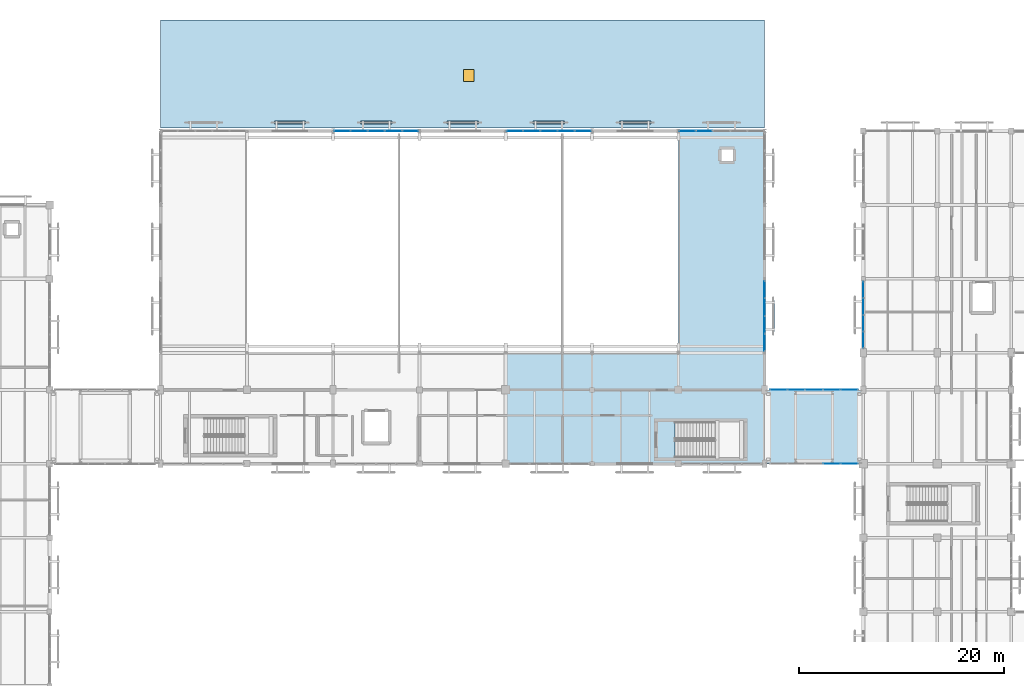
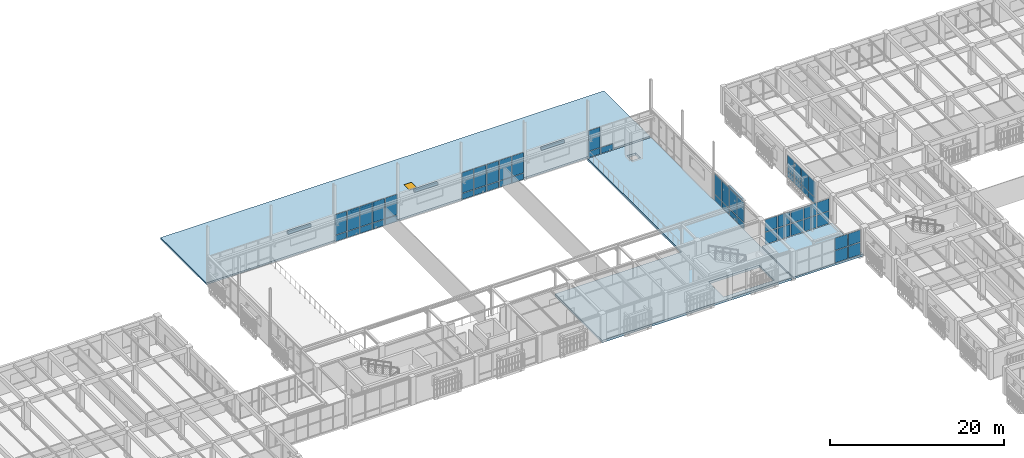
# One storey, part 123 of 170: 59 plates, 3 slabs, 1 door, 1 opening, 7 elements without a shape of their own.
"""IFC4 building model written with IfcOpenShell, lengths in metres."""

from ifc_helpers import new_model, si_unit, direction, frame, origin, origin_2d, place, context, subcontext, project, spatial, polyline, rectangle, outline, extrude, material, layer, layer_set, type_object, element, fill, aggregate, save


model = new_model("IFC4")

# Units and contexts
model_context = context("Model", 3, precision=1e-05, world=origin(), true_north=direction((0.0, 1.0)))
body_context = subcontext(model_context, "Body", "Model", "MODEL_VIEW")
ifc_project = project(units=[si_unit("LENGTHUNIT", "METRE"), si_unit("AREAUNIT", "SQUARE_METRE"), si_unit("VOLUMEUNIT", "CUBIC_METRE"), si_unit("PLANEANGLEUNIT", "RADIAN"), si_unit("MASSUNIT", "GRAM", prefix="KILO")], contexts=[model_context])

# Site, building, storey
site_placement = place(None, origin())
site = spatial("IfcSite", under=ifc_project, at=site_placement, CompositionType="ELEMENT")
building_placement = place(site_placement, origin())
building = spatial("IfcBuilding", under=site, at=building_placement, Name="Mazaris Harbour Polytechnic", CompositionType="ELEMENT")
storey_placement = place(building_placement, frame((0.0, 0.0, 5.39990234375)))
storey = spatial("IfcBuildingStorey", under=building, at=storey_placement, Name="L01", CompositionType="ELEMENT", Elevation=5.39990234375)

# Curtain wall, plates
ifc_material_1 = material(Name="Anodised Bronze Aluminium and Low-E Glass", Category="aluminium")
ifc_layer_1 = layer(ifc_material_1, 0.14990234375, Name="Anodised Bronze Aluminium and Low-E Glass")
ifc_layer_set_1 = layer_set([ifc_layer_1], Name="Anodised Bronze Aluminium and Low-E Glass")
curtain_wall_type_1 = type_object("IfcCurtainWallType", Name="Workshop Clerestory Curtain Wall", PredefinedType="NOTDEFINED", material=ifc_layer_set_1)
curtain_wall_1_placement = place(storey_placement, origin())
curtain_wall_1 = element("IfcCurtainWall", 1, at=curtain_wall_1_placement, inside=storey, type_object=curtain_wall_type_1, Name="V1 L01 Curtain Wall 18", PredefinedType="NOTDEFINED")
ifc_material_2 = material(Name="Acoustic Low-E Double Glazing", Category="glass")
ifc_layer_2 = layer(ifc_material_2, 0.033935546875, Name="Acoustic Low-E Double Glazing")
ifc_layer_set_2 = layer_set([ifc_layer_2], Name="Acoustic Low-E Double Glazing")
plate_type_1 = type_object("IfcPlateType", Name="Acoustic Laminated Glass Panel 34", PredefinedType="CURTAIN_PANEL", material=ifc_layer_set_2)
plate_1_placement = place(storey_placement, frame((71.67138671875, 108.0, 0.080078125), z_axis=(0.0, 0.0, 1.0), x_axis=(1.0, 0.0, 0.0)))
plate_1 = element("IfcPlate", 2, at=plate_1_placement, type_object=plate_type_1, Name="CW-04 panel 1.1", PredefinedType="CURTAIN_PANEL", context=body_context, shape_type="SweptSolid", body=[
    extrude(rectangle(XDim=1.52685546875, YDim=0.033935546875, at=origin_2d()), origin(), (0.0, 0.0, 1.0), 0.830078125),
])
plate_2_placement = place(storey_placement, frame((71.67138671875, 108.0, 0.989990234375), z_axis=(0.0, 0.0, 1.0), x_axis=(1.0, 0.0, 0.0)))
plate_2 = element("IfcPlate", 3, at=plate_2_placement, type_object=plate_type_1, Name="CW-04 panel 1.2", PredefinedType="CURTAIN_PANEL", context=body_context, shape_type="SweptSolid", body=[
    extrude(rectangle(XDim=1.52685546875, YDim=0.033935546875, at=origin_2d()), origin(), (0.0, 0.0, 1.0), 2.85009765625),
])
plate_3_placement = place(storey_placement, frame((73.3232421875, 108.0, 0.080078125), z_axis=(0.0, 0.0, 1.0), x_axis=(1.0, 0.0, 0.0)))
plate_3 = element("IfcPlate", 4, at=plate_3_placement, type_object=plate_type_1, Name="CW-04 panel 2.1", PredefinedType="CURTAIN_PANEL", context=body_context, shape_type="SweptSolid", body=[
    extrude(rectangle(XDim=1.576904296875, YDim=0.033935546875, at=origin_2d()), origin(), (0.0, 0.0, 1.0), 0.830078125),
])
plate_4_placement = place(storey_placement, frame((73.3232421875, 108.0, 0.989990234375), z_axis=(0.0, 0.0, 1.0), x_axis=(1.0, 0.0, 0.0)))
plate_4 = element("IfcPlate", 5, at=plate_4_placement, type_object=plate_type_1, Name="CW-04 panel 2.2", PredefinedType="CURTAIN_PANEL", context=body_context, shape_type="SweptSolid", body=[
    extrude(rectangle(XDim=1.576904296875, YDim=0.033935546875, at=origin_2d()), origin(), (0.0, 0.0, 1.0), 2.85009765625),
])
plate_5_placement = place(storey_placement, frame((75.0, 108.0, 0.080078125), z_axis=(0.0, 0.0, 1.0), x_axis=(1.0, 0.0, 0.0)))
plate_5 = element("IfcPlate", 6, at=plate_5_placement, type_object=plate_type_1, Name="CW-04 panel 3.1", PredefinedType="CURTAIN_PANEL", context=body_context, shape_type="SweptSolid", body=[
    extrude(rectangle(XDim=1.576904296875, YDim=0.033935546875, at=origin_2d()), origin(), (0.0, 0.0, 1.0), 0.830078125),
])
plate_6_placement = place(storey_placement, frame((75.0, 108.0, 0.989990234375), z_axis=(0.0, 0.0, 1.0), x_axis=(1.0, 0.0, 0.0)))
plate_6 = element("IfcPlate", 7, at=plate_6_placement, type_object=plate_type_1, Name="CW-04 panel 3.2", PredefinedType="CURTAIN_PANEL", context=body_context, shape_type="SweptSolid", body=[
    extrude(rectangle(XDim=1.576904296875, YDim=0.033935546875, at=origin_2d()), origin(), (0.0, 0.0, 1.0), 2.85009765625),
])
plate_7_placement = place(storey_placement, frame((76.6767578125, 108.0, 0.080078125), z_axis=(0.0, 0.0, 1.0), x_axis=(1.0, 0.0, 0.0)))
plate_7 = element("IfcPlate", 8, at=plate_7_placement, type_object=plate_type_1, Name="CW-04 panel 4.1", PredefinedType="CURTAIN_PANEL", context=body_context, shape_type="SweptSolid", body=[
    extrude(rectangle(XDim=1.576904296875, YDim=0.033935546875, at=origin_2d()), origin(), (0.0, 0.0, 1.0), 0.830078125),
])
plate_8_placement = place(storey_placement, frame((76.6767578125, 108.0, 0.989990234375), z_axis=(0.0, 0.0, 1.0), x_axis=(1.0, 0.0, 0.0)))
plate_8 = element("IfcPlate", 9, at=plate_8_placement, type_object=plate_type_1, Name="CW-04 panel 4.2", PredefinedType="CURTAIN_PANEL", context=body_context, shape_type="SweptSolid", body=[
    extrude(rectangle(XDim=1.576904296875, YDim=0.033935546875, at=origin_2d()), origin(), (0.0, 0.0, 1.0), 2.85009765625),
])
plate_9_placement = place(storey_placement, frame((78.32861328125, 108.0, 0.080078125), z_axis=(0.0, 0.0, 1.0), x_axis=(1.0, 0.0, 0.0)))
plate_9 = element("IfcPlate", 10, at=plate_9_placement, type_object=plate_type_1, Name="CW-04 panel 5.1", PredefinedType="CURTAIN_PANEL", context=body_context, shape_type="SweptSolid", body=[
    extrude(rectangle(XDim=1.52685546875, YDim=0.033935546875, at=origin_2d()), origin(), (0.0, 0.0, 1.0), 0.830078125),
])
plate_10_placement = place(storey_placement, frame((78.32861328125, 108.0, 0.989990234375), z_axis=(0.0, 0.0, 1.0), x_axis=(1.0, 0.0, 0.0)))
plate_10 = element("IfcPlate", 11, at=plate_10_placement, type_object=plate_type_1, Name="CW-04 panel 5.2", PredefinedType="CURTAIN_PANEL", context=body_context, shape_type="SweptSolid", body=[
    extrude(rectangle(XDim=1.52685546875, YDim=0.033935546875, at=origin_2d()), origin(), (0.0, 0.0, 1.0), 2.85009765625),
])
aggregate(curtain_wall_1, [plate_1, plate_2, plate_3, plate_4, plate_5, plate_6, plate_7, plate_8, plate_9, plate_10])

curtain_wall_2_placement = place(storey_placement, origin())
curtain_wall_2 = element("IfcCurtainWall", 12, at=curtain_wall_2_placement, inside=storey, type_object=curtain_wall_type_1, Name="V1 L01 Curtain Wall 19", PredefinedType="NOTDEFINED")
plate_11_placement = place(storey_placement, frame((88.471435546875, 108.0, 0.080078125), z_axis=(0.0, 0.0, 1.0), x_axis=(1.0, 0.0, 0.0)))
plate_11 = element("IfcPlate", 13, at=plate_11_placement, type_object=plate_type_1, Name="CW-04 panel 1.1", PredefinedType="CURTAIN_PANEL", context=body_context, shape_type="SweptSolid", body=[
    extrude(rectangle(XDim=1.52685546875, YDim=0.033935546875, at=origin_2d()), origin(), (0.0, 0.0, 1.0), 0.830078125),
])
plate_12_placement = place(storey_placement, frame((88.471435546875, 108.0, 0.989990234375), z_axis=(0.0, 0.0, 1.0), x_axis=(1.0, 0.0, 0.0)))
plate_12 = element("IfcPlate", 14, at=plate_12_placement, type_object=plate_type_1, Name="CW-04 panel 1.2", PredefinedType="CURTAIN_PANEL", context=body_context, shape_type="SweptSolid", body=[
    extrude(rectangle(XDim=1.52685546875, YDim=0.033935546875, at=origin_2d()), origin(), (0.0, 0.0, 1.0), 2.85009765625),
])
plate_13_placement = place(storey_placement, frame((90.123291015625, 108.0, 0.080078125), z_axis=(0.0, 0.0, 1.0), x_axis=(1.0, 0.0, 0.0)))
plate_13 = element("IfcPlate", 15, at=plate_13_placement, type_object=plate_type_1, Name="CW-04 panel 2.1", PredefinedType="CURTAIN_PANEL", context=body_context, shape_type="SweptSolid", body=[
    extrude(rectangle(XDim=1.576904296875, YDim=0.033935546875, at=origin_2d()), origin(), (0.0, 0.0, 1.0), 0.830078125),
])
plate_14_placement = place(storey_placement, frame((90.123291015625, 108.0, 0.989990234375), z_axis=(0.0, 0.0, 1.0), x_axis=(1.0, 0.0, 0.0)))
plate_14 = element("IfcPlate", 16, at=plate_14_placement, type_object=plate_type_1, Name="CW-04 panel 2.2", PredefinedType="CURTAIN_PANEL", context=body_context, shape_type="SweptSolid", body=[
    extrude(rectangle(XDim=1.576904296875, YDim=0.033935546875, at=origin_2d()), origin(), (0.0, 0.0, 1.0), 2.85009765625),
])
plate_15_placement = place(storey_placement, frame((91.800048828125, 108.0, 0.080078125), z_axis=(0.0, 0.0, 1.0), x_axis=(1.0, 0.0, 0.0)))
plate_15 = element("IfcPlate", 17, at=plate_15_placement, type_object=plate_type_1, Name="CW-04 panel 3.1", PredefinedType="CURTAIN_PANEL", context=body_context, shape_type="SweptSolid", body=[
    extrude(rectangle(XDim=1.576904296875, YDim=0.033935546875, at=origin_2d()), origin(), (0.0, 0.0, 1.0), 0.830078125),
])
plate_16_placement = place(storey_placement, frame((91.800048828125, 108.0, 0.989990234375), z_axis=(0.0, 0.0, 1.0), x_axis=(1.0, 0.0, 0.0)))
plate_16 = element("IfcPlate", 18, at=plate_16_placement, type_object=plate_type_1, Name="CW-04 panel 3.2", PredefinedType="CURTAIN_PANEL", context=body_context, shape_type="SweptSolid", body=[
    extrude(rectangle(XDim=1.576904296875, YDim=0.033935546875, at=origin_2d()), origin(), (0.0, 0.0, 1.0), 2.85009765625),
])
plate_17_placement = place(storey_placement, frame((93.476806640625, 108.0, 0.080078125), z_axis=(0.0, 0.0, 1.0), x_axis=(1.0, 0.0, 0.0)))
plate_17 = element("IfcPlate", 19, at=plate_17_placement, type_object=plate_type_1, Name="CW-04 panel 4.1", PredefinedType="CURTAIN_PANEL", context=body_context, shape_type="SweptSolid", body=[
    extrude(rectangle(XDim=1.576904296875, YDim=0.033935546875, at=origin_2d()), origin(), (0.0, 0.0, 1.0), 0.830078125),
])
plate_18_placement = place(storey_placement, frame((93.476806640625, 108.0, 0.989990234375), z_axis=(0.0, 0.0, 1.0), x_axis=(1.0, 0.0, 0.0)))
plate_18 = element("IfcPlate", 20, at=plate_18_placement, type_object=plate_type_1, Name="CW-04 panel 4.2", PredefinedType="CURTAIN_PANEL", context=body_context, shape_type="SweptSolid", body=[
    extrude(rectangle(XDim=1.576904296875, YDim=0.033935546875, at=origin_2d()), origin(), (0.0, 0.0, 1.0), 2.85009765625),
])
plate_19_placement = place(storey_placement, frame((95.128662109375, 108.0, 0.080078125), z_axis=(0.0, 0.0, 1.0), x_axis=(1.0, 0.0, 0.0)))
plate_19 = element("IfcPlate", 21, at=plate_19_placement, type_object=plate_type_1, Name="CW-04 panel 5.1", PredefinedType="CURTAIN_PANEL", context=body_context, shape_type="SweptSolid", body=[
    extrude(rectangle(XDim=1.52685546875, YDim=0.033935546875, at=origin_2d()), origin(), (0.0, 0.0, 1.0), 0.830078125),
])
plate_20_placement = place(storey_placement, frame((95.128662109375, 108.0, 0.989990234375), z_axis=(0.0, 0.0, 1.0), x_axis=(1.0, 0.0, 0.0)))
plate_20 = element("IfcPlate", 22, at=plate_20_placement, type_object=plate_type_1, Name="CW-04 panel 5.2", PredefinedType="CURTAIN_PANEL", context=body_context, shape_type="SweptSolid", body=[
    extrude(rectangle(XDim=1.52685546875, YDim=0.033935546875, at=origin_2d()), origin(), (0.0, 0.0, 1.0), 2.85009765625),
])
aggregate(curtain_wall_2, [plate_11, plate_12, plate_13, plate_14, plate_15, plate_16, plate_17, plate_18, plate_19, plate_20])

curtain_wall_3_placement = place(storey_placement, origin())
curtain_wall_3 = element("IfcCurtainWall", 23, at=curtain_wall_3_placement, inside=storey, type_object=curtain_wall_type_1, Name="V1 L01 Curtain Wall 20", PredefinedType="NOTDEFINED")
plate_21_placement = place(storey_placement, frame((105.271484375, 108.0, 0.080078125), z_axis=(0.0, 0.0, 1.0), x_axis=(1.0, 0.0, 0.0)))
plate_21 = element("IfcPlate", 24, at=plate_21_placement, type_object=plate_type_1, Name="CW-04 panel 1.1", PredefinedType="CURTAIN_PANEL", context=body_context, shape_type="SweptSolid", body=[
    extrude(rectangle(XDim=1.52685546875, YDim=0.033935546875, at=origin_2d()), origin(), (0.0, 0.0, 1.0), 0.830078125),
])
plate_22_placement = place(storey_placement, frame((105.271484375, 108.0, 0.989990234375), z_axis=(0.0, 0.0, 1.0), x_axis=(1.0, 0.0, 0.0)))
plate_22 = element("IfcPlate", 25, at=plate_22_placement, type_object=plate_type_1, Name="CW-04 panel 1.2", PredefinedType="CURTAIN_PANEL", context=body_context, shape_type="SweptSolid", body=[
    extrude(rectangle(XDim=1.52685546875, YDim=0.033935546875, at=origin_2d()), origin(), (0.0, 0.0, 1.0), 2.85009765625),
])
plate_23_placement = place(storey_placement, frame((106.923095703125, 108.0, 0.080078125), z_axis=(0.0, 0.0, 1.0), x_axis=(1.0, 0.0, 0.0)))
plate_23 = element("IfcPlate", 26, at=plate_23_placement, type_object=plate_type_1, Name="CW-04 panel 2.1", PredefinedType="CURTAIN_PANEL", context=body_context, shape_type="SweptSolid", body=[
    extrude(rectangle(XDim=1.576904296875, YDim=0.033935546875, at=origin_2d()), origin(), (0.0, 0.0, 1.0), 0.830078125),
])
aggregate(curtain_wall_3, [plate_21, plate_22, plate_23])

curtain_wall_4_placement = place(storey_placement, origin())
curtain_wall_4 = element("IfcCurtainWall", 27, at=curtain_wall_4_placement, inside=storey, type_object=curtain_wall_type_1, Name="V1 L01 Curtain Wall 23", PredefinedType="NOTDEFINED")
plate_24_placement = place(storey_placement, frame((112.800048828125, 92.584716796875, 0.080078125), z_axis=(0.0, 0.0, 1.0), x_axis=(0.0, -1.0, 0.0)))
plate_24 = element("IfcPlate", 28, at=plate_24_placement, type_object=plate_type_1, Name="CW-04 panel 1.1", PredefinedType="CURTAIN_PANEL", context=body_context, shape_type="SweptSolid", body=[
    extrude(rectangle(XDim=1.596435546875, YDim=0.033935546875, at=origin_2d()), origin(), (0.0, 0.0, 1.0), 0.830078125),
])
plate_25_placement = place(storey_placement, frame((112.800048828125, 92.584716796875, 0.989990234375), z_axis=(0.0, 0.0, 1.0), x_axis=(0.0, -1.0, 0.0)))
plate_25 = element("IfcPlate", 29, at=plate_25_placement, type_object=plate_type_1, Name="CW-04 panel 1.2", PredefinedType="CURTAIN_PANEL", context=body_context, shape_type="SweptSolid", body=[
    extrude(rectangle(XDim=1.596435546875, YDim=0.033935546875, at=origin_2d()), origin(), (0.0, 0.0, 1.0), 2.85009765625),
])
plate_26_placement = place(storey_placement, frame((112.800048828125, 90.86328125, 0.080078125), z_axis=(0.0, 0.0, 1.0), x_axis=(0.0, -1.0, 0.0)))
plate_26 = element("IfcPlate", 30, at=plate_26_placement, type_object=plate_type_1, Name="CW-04 panel 2.1", PredefinedType="CURTAIN_PANEL", context=body_context, shape_type="SweptSolid", body=[
    extrude(rectangle(XDim=1.646484375, YDim=0.033935546875, at=origin_2d()), origin(), (0.0, 0.0, 1.0), 0.830078125),
])
plate_27_placement = place(storey_placement, frame((112.800048828125, 90.86328125, 0.989990234375), z_axis=(0.0, 0.0, 1.0), x_axis=(0.0, -1.0, 0.0)))
plate_27 = element("IfcPlate", 31, at=plate_27_placement, type_object=plate_type_1, Name="CW-04 panel 2.2", PredefinedType="CURTAIN_PANEL", context=body_context, shape_type="SweptSolid", body=[
    extrude(rectangle(XDim=1.646484375, YDim=0.033935546875, at=origin_2d()), origin(), (0.0, 0.0, 1.0), 2.85009765625),
])
plate_28_placement = place(storey_placement, frame((112.800048828125, 89.11669921875, 0.080078125), z_axis=(0.0, 0.0, 1.0), x_axis=(0.0, -1.0, 0.0)))
plate_28 = element("IfcPlate", 32, at=plate_28_placement, type_object=plate_type_1, Name="CW-04 panel 3.1", PredefinedType="CURTAIN_PANEL", context=body_context, shape_type="SweptSolid", body=[
    extrude(rectangle(XDim=1.646484375, YDim=0.033935546875, at=origin_2d()), origin(), (0.0, 0.0, 1.0), 0.830078125),
])
plate_29_placement = place(storey_placement, frame((112.800048828125, 89.11669921875, 0.989990234375), z_axis=(0.0, 0.0, 1.0), x_axis=(0.0, -1.0, 0.0)))
plate_29 = element("IfcPlate", 33, at=plate_29_placement, type_object=plate_type_1, Name="CW-04 panel 3.2", PredefinedType="CURTAIN_PANEL", context=body_context, shape_type="SweptSolid", body=[
    extrude(rectangle(XDim=1.646484375, YDim=0.033935546875, at=origin_2d()), origin(), (0.0, 0.0, 1.0), 2.85009765625),
])
plate_30_placement = place(storey_placement, frame((112.800048828125, 87.395263671875, 0.080078125), z_axis=(0.0, 0.0, 1.0), x_axis=(0.0, -1.0, 0.0)))
plate_30 = element("IfcPlate", 34, at=plate_30_placement, type_object=plate_type_1, Name="CW-04 panel 4.1", PredefinedType="CURTAIN_PANEL", context=body_context, shape_type="SweptSolid", body=[
    extrude(rectangle(XDim=1.596435546875, YDim=0.033935546875, at=origin_2d()), origin(), (0.0, 0.0, 1.0), 0.830078125),
])
plate_31_placement = place(storey_placement, frame((112.800048828125, 87.395263671875, 0.989990234375), z_axis=(0.0, 0.0, 1.0), x_axis=(0.0, -1.0, 0.0)))
plate_31 = element("IfcPlate", 35, at=plate_31_placement, type_object=plate_type_1, Name="CW-04 panel 4.2", PredefinedType="CURTAIN_PANEL", context=body_context, shape_type="SweptSolid", body=[
    extrude(rectangle(XDim=1.596435546875, YDim=0.033935546875, at=origin_2d()), origin(), (0.0, 0.0, 1.0), 2.85009765625),
])
aggregate(curtain_wall_4, [plate_24, plate_25, plate_26, plate_27, plate_28, plate_29, plate_30, plate_31])

# Slab
ifc_material_3 = material(Name="Glulam GL28h and Concrete C30/37", Category="concrete")
ifc_layer_3 = layer(ifc_material_3, 0.264892578125, Name="Glulam GL28h and Concrete C30/37")
ifc_layer_set_3 = layer_set([ifc_layer_3], Name="Glulam GL28h and Concrete C30/37")
slab_type_1 = type_object("IfcSlabType", Name="CLT Composite Floor 265", PredefinedType="FLOOR", material=ifc_layer_set_3)
slab_1_placement = place(storey_placement, frame((0.0, 0.0, -0.264892578125)))
element("IfcSlab", 36, at=slab_1_placement, inside=storey, type_object=slab_type_1, Name="PB-E2 L01 Bridge Deck", PredefinedType="FLOOR", context=body_context, shape_type="SweptSolid", body=[
    extrude(outline(polyline([(122.25, 75.60009765625), (122.25, 82.800048828125), (112.949951171875, 82.800048828125), (112.949951171875, 75.60009765625), (122.25, 75.60009765625)])), origin(), (0.0, 0.0, 1.0), 0.264892578125),
])

# Slab, opening, door
ifc_material_4 = material(Name="Glulam GL28h and Concrete C30/37", Category="concrete")
ifc_layer_4 = layer(ifc_material_4, 0.239990234375, Name="Glulam GL28h and Concrete C30/37")
ifc_layer_set_4 = layer_set([ifc_layer_4], Name="Glulam GL28h and Concrete C30/37")
slab_type_2 = type_object("IfcSlabType", Name="Insulated Flat Roof Slab 240", PredefinedType="ROOF", material=ifc_layer_set_4)
slab_2_placement = place(storey_placement, frame((0.0, 0.0, -0.239990234375)))
slab_2 = element("IfcSlab", 37, at=slab_2_placement, inside=storey, type_object=slab_type_2, Name="V1 North Crane Delivery Bay Roof", PredefinedType="ROOF", context=body_context, shape_type="SweptSolid", body=[
    extrude(outline(polyline([(112.800048828125, 108.300048828125), (112.800048828125, 118.800048828125), (54.0, 118.800048828125), (54.0, 108.300048828125), (112.800048828125, 108.300048828125)])), origin(), (0.0, 0.0, 1.0), 0.239990234375),
])
opening_placement = place(slab_2_placement, frame((84.0, 113.39990234375, 0.0)))
opening = element("IfcOpeningElement", 38, at=opening_placement, cuts=slab_2, Name="Opening HT-01", PredefinedType="OPENING", context=body_context, shape_type="SweptSolid", body=[
    extrude(rectangle(XDim=1.0, YDim=1.199951171875, at=origin_2d()), origin(), (0.0, 0.0, 1.0), 0.239990234375),
])
ifc_material_5 = material(Name="Galvanised Steel S355", Category="steel")
door_type = type_object("IfcDoorType", Name="Insulated Roof Access Hatch 1000x1200", OperationType="SINGLE_SWING_LEFT", PredefinedType="TRAPDOOR", material=ifc_material_5)
door_placement = place(opening_placement, frame((0.0, 0.0, 0.18994140625)))
door = element("IfcDoor", 39, at=door_placement, inside=storey, type_object=door_type, Name="HT-05", OperationType="SINGLE_SWING_LEFT", OverallHeight=1.199951171875, OverallWidth=1.0, PredefinedType="TRAPDOOR", context=body_context, shape_type="SweptSolid", body=[
    extrude(rectangle(XDim=1.0, YDim=1.199951171875, at=origin_2d()), origin(), (0.0, 0.0, 1.0), 0.050048828125),
])
fill(opening, door)

# Curtain wall, plates
ifc_material_6 = material(Name="Anodised Bronze Aluminium and Low-E Glass", Category="aluminium")
ifc_layer_5 = layer(ifc_material_6, 0.139892578125, Name="Anodised Bronze Aluminium and Low-E Glass")
ifc_layer_set_5 = layer_set([ifc_layer_5], Name="Anodised Bronze Aluminium and Low-E Glass")
curtain_wall_type_2 = type_object("IfcCurtainWallType", Name="Seismic Link Bridge Glazing", PredefinedType="NOTDEFINED", material=ifc_layer_set_5)
curtain_wall_5_placement = place(storey_placement, origin())
curtain_wall_5 = element("IfcCurtainWall", 40, at=curtain_wall_5_placement, inside=storey, type_object=curtain_wall_type_2, Name="PB-E2 L01 Bridge Glazing", PredefinedType="NOTDEFINED")
ifc_material_7 = material(Name="Low-E Double Glazing", Category="glass")
ifc_layer_6 = layer(ifc_material_7, 0.028076171875, Name="Low-E Double Glazing")
ifc_layer_set_6 = layer_set([ifc_layer_6], Name="Low-E Double Glazing")
plate_type_2 = type_object("IfcPlateType", Name="Low-E Vision Glass Panel 28", PredefinedType="CURTAIN_PANEL", material=ifc_layer_set_6)
plate_32_placement = place(storey_placement, frame((119.327880859375, 75.60009765625, 0.080078125), z_axis=(0.0, 0.0, 1.0), x_axis=(1.0, 0.0, 0.0)))
plate_32 = element("IfcPlate", 41, at=plate_32_placement, type_object=plate_type_2, Name="CW-05 panel 4.1", PredefinedType="CURTAIN_PANEL", context=body_context, shape_type="SweptSolid", body=[
    extrude(rectangle(XDim=1.64794921875, YDim=0.028076171875, at=origin_2d()), origin(), (0.0, 0.0, 1.0), 1.697509765625),
])
plate_33_placement = place(storey_placement, frame((119.327880859375, 75.60009765625, 1.857421875), z_axis=(0.0, 0.0, 1.0), x_axis=(1.0, 0.0, 0.0)))
plate_33 = element("IfcPlate", 42, at=plate_33_placement, type_object=plate_type_2, Name="CW-05 panel 4.2", PredefinedType="CURTAIN_PANEL", context=body_context, shape_type="SweptSolid", body=[
    extrude(rectangle(XDim=1.64794921875, YDim=0.028076171875, at=origin_2d()), origin(), (0.0, 0.0, 1.0), 1.697509765625),
])
plate_34_placement = place(storey_placement, frame((121.035888671875, 75.60009765625, 0.080078125), z_axis=(0.0, 0.0, 1.0), x_axis=(1.0, 0.0, 0.0)))
plate_34 = element("IfcPlate", 43, at=plate_34_placement, type_object=plate_type_2, Name="CW-05 panel 5.1", PredefinedType="CURTAIN_PANEL", context=body_context, shape_type="SweptSolid", body=[
    extrude(rectangle(XDim=1.60791015625, YDim=0.028076171875, at=origin_2d()), origin(), (0.0, 0.0, 1.0), 1.697509765625),
])
plate_35_placement = place(storey_placement, frame((121.035888671875, 75.60009765625, 1.857421875), z_axis=(0.0, 0.0, 1.0), x_axis=(1.0, 0.0, 0.0)))
plate_35 = element("IfcPlate", 44, at=plate_35_placement, type_object=plate_type_2, Name="CW-05 panel 5.2", PredefinedType="CURTAIN_PANEL", context=body_context, shape_type="SweptSolid", body=[
    extrude(rectangle(XDim=1.60791015625, YDim=0.028076171875, at=origin_2d()), origin(), (0.0, 0.0, 1.0), 1.697509765625),
])
aggregate(curtain_wall_5, [plate_32, plate_33, plate_34, plate_35])

curtain_wall_6_placement = place(storey_placement, origin())
curtain_wall_6 = element("IfcCurtainWall", 45, at=curtain_wall_6_placement, inside=storey, type_object=curtain_wall_type_2, Name="PB-E2 L01 Bridge Glazing", PredefinedType="NOTDEFINED")
plate_36_placement = place(storey_placement, frame((121.035888671875, 82.800048828125, 0.080078125), z_axis=(0.0, 0.0, 1.0), x_axis=(-1.0, 0.0, 0.0)))
plate_36 = element("IfcPlate", 46, at=plate_36_placement, type_object=plate_type_2, Name="CW-05 panel 1.1", PredefinedType="CURTAIN_PANEL", context=body_context, shape_type="SweptSolid", body=[
    extrude(rectangle(XDim=1.60791015625, YDim=0.028076171875, at=origin_2d()), origin(), (0.0, 0.0, 1.0), 1.697509765625),
])
plate_37_placement = place(storey_placement, frame((121.035888671875, 82.800048828125, 1.857421875), z_axis=(0.0, 0.0, 1.0), x_axis=(-1.0, 0.0, 0.0)))
plate_37 = element("IfcPlate", 47, at=plate_37_placement, type_object=plate_type_2, Name="CW-05 panel 1.2", PredefinedType="CURTAIN_PANEL", context=body_context, shape_type="SweptSolid", body=[
    extrude(rectangle(XDim=1.60791015625, YDim=0.028076171875, at=origin_2d()), origin(), (0.0, 0.0, 1.0), 1.697509765625),
])
plate_38_placement = place(storey_placement, frame((119.327880859375, 82.800048828125, 0.080078125), z_axis=(0.0, 0.0, 1.0), x_axis=(-1.0, 0.0, 0.0)))
plate_38 = element("IfcPlate", 48, at=plate_38_placement, type_object=plate_type_2, Name="CW-05 panel 2.1", PredefinedType="CURTAIN_PANEL", context=body_context, shape_type="SweptSolid", body=[
    extrude(rectangle(XDim=1.64794921875, YDim=0.028076171875, at=origin_2d()), origin(), (0.0, 0.0, 1.0), 1.697509765625),
])
plate_39_placement = place(storey_placement, frame((119.327880859375, 82.800048828125, 1.857421875), z_axis=(0.0, 0.0, 1.0), x_axis=(-1.0, 0.0, 0.0)))
plate_39 = element("IfcPlate", 49, at=plate_39_placement, type_object=plate_type_2, Name="CW-05 panel 2.2", PredefinedType="CURTAIN_PANEL", context=body_context, shape_type="SweptSolid", body=[
    extrude(rectangle(XDim=1.64794921875, YDim=0.028076171875, at=origin_2d()), origin(), (0.0, 0.0, 1.0), 1.697509765625),
])
plate_40_placement = place(storey_placement, frame((117.60009765625, 82.800048828125, 0.080078125), z_axis=(0.0, 0.0, 1.0), x_axis=(-1.0, 0.0, 0.0)))
plate_40 = element("IfcPlate", 50, at=plate_40_placement, type_object=plate_type_2, Name="CW-05 panel 3.1", PredefinedType="CURTAIN_PANEL", context=body_context, shape_type="SweptSolid", body=[
    extrude(rectangle(XDim=1.64794921875, YDim=0.028076171875, at=origin_2d()), origin(), (0.0, 0.0, 1.0), 1.697509765625),
])
plate_41_placement = place(storey_placement, frame((117.60009765625, 82.800048828125, 1.857421875), z_axis=(0.0, 0.0, 1.0), x_axis=(-1.0, 0.0, 0.0)))
plate_41 = element("IfcPlate", 51, at=plate_41_placement, type_object=plate_type_2, Name="CW-05 panel 3.2", PredefinedType="CURTAIN_PANEL", context=body_context, shape_type="SweptSolid", body=[
    extrude(rectangle(XDim=1.64794921875, YDim=0.028076171875, at=origin_2d()), origin(), (0.0, 0.0, 1.0), 1.697509765625),
])
plate_42_placement = place(storey_placement, frame((115.8720703125, 82.800048828125, 0.080078125), z_axis=(0.0, 0.0, 1.0), x_axis=(-1.0, 0.0, 0.0)))
plate_42 = element("IfcPlate", 52, at=plate_42_placement, type_object=plate_type_2, Name="CW-05 panel 4.1", PredefinedType="CURTAIN_PANEL", context=body_context, shape_type="SweptSolid", body=[
    extrude(rectangle(XDim=1.64794921875, YDim=0.028076171875, at=origin_2d()), origin(), (0.0, 0.0, 1.0), 1.697509765625),
])
plate_43_placement = place(storey_placement, frame((115.8720703125, 82.800048828125, 1.857421875), z_axis=(0.0, 0.0, 1.0), x_axis=(-1.0, 0.0, 0.0)))
plate_43 = element("IfcPlate", 53, at=plate_43_placement, type_object=plate_type_2, Name="CW-05 panel 4.2", PredefinedType="CURTAIN_PANEL", context=body_context, shape_type="SweptSolid", body=[
    extrude(rectangle(XDim=1.64794921875, YDim=0.028076171875, at=origin_2d()), origin(), (0.0, 0.0, 1.0), 1.697509765625),
])
plate_44_placement = place(storey_placement, frame((114.1640625, 82.800048828125, 0.080078125), z_axis=(0.0, 0.0, 1.0), x_axis=(-1.0, 0.0, 0.0)))
plate_44 = element("IfcPlate", 54, at=plate_44_placement, type_object=plate_type_2, Name="CW-05 panel 5.1", PredefinedType="CURTAIN_PANEL", context=body_context, shape_type="SweptSolid", body=[
    extrude(rectangle(XDim=1.60791015625, YDim=0.028076171875, at=origin_2d()), origin(), (0.0, 0.0, 1.0), 1.697509765625),
])
plate_45_placement = place(storey_placement, frame((114.1640625, 82.800048828125, 1.857421875), z_axis=(0.0, 0.0, 1.0), x_axis=(-1.0, 0.0, 0.0)))
plate_45 = element("IfcPlate", 55, at=plate_45_placement, type_object=plate_type_2, Name="CW-05 panel 5.2", PredefinedType="CURTAIN_PANEL", context=body_context, shape_type="SweptSolid", body=[
    extrude(rectangle(XDim=1.60791015625, YDim=0.028076171875, at=origin_2d()), origin(), (0.0, 0.0, 1.0), 1.697509765625),
])
aggregate(curtain_wall_6, [plate_36, plate_37, plate_38, plate_39, plate_40, plate_41, plate_42, plate_43, plate_44, plate_45])

# Plates
ifc_material_8 = material(Name="Perforated Earth-Coloured Terracotta Block", Category="masonry")
ifc_layer_7 = layer(ifc_material_8, 0.25, Name="Perforated Earth-Coloured Terracotta Block")
ifc_layer_set_7 = layer_set([ifc_layer_7], Name="Perforated Earth-Coloured Terracotta Block")
plate_type_3 = type_object("IfcPlateType", Name="Perforated Terracotta Screen 3060x250x320", PredefinedType="USERDEFINED", material=ifc_layer_set_7)
for number, where, z_axis, x_axis, name in (
    (56, (66.60009765625, 108.820068359375, 2.7099609375), (0.0, 0.0, 1.0), (1.0, 0.0, 0.0), "V1 L01 Terracotta Screen Crest Plaque 12"),
    (57, (75.0, 108.820068359375, 2.7099609375), (0.0, 0.0, 1.0), (1.0, 0.0, 0.0), "V1 L01 Terracotta Screen Crest Plaque 13"),
    (58, (83.39990234375, 108.820068359375, 2.7099609375), (0.0, 0.0, 1.0), (1.0, 0.0, 0.0), "V1 L01 Terracotta Screen Crest Plaque 14"),
    (59, (91.800048828125, 108.820068359375, 2.7099609375), (0.0, 0.0, 1.0), (1.0, 0.0, 0.0), "V1 L01 Terracotta Screen Crest Plaque 15"),
    (60, (100.199951171875, 108.820068359375, 2.7099609375), (0.0, 0.0, 1.0), (1.0, 0.0, 0.0), "V1 L01 Terracotta Screen Crest Plaque 16"),
    (61, (113.6201171875, 89.989990234375, 2.7099609375), (0.0, 0.0, 1.0), (0.0, -1.0, 0.0), "V1 L01 Terracotta Screen Crest Plaque 21"),
):
    element("IfcPlate", number, at=place(storey_placement, frame(where, z_axis=z_axis, x_axis=x_axis)), inside=storey, type_object=plate_type_3, Name=name, ObjectType="SOLAR SCREEN", PredefinedType="USERDEFINED", context=body_context, shape_type="SweptSolid", body=[
        extrude(rectangle(XDim=3.06005859375, YDim=0.25, at=origin_2d()), origin(), (0.0, 0.0, 1.0), 0.320068359375),
    ])

# Slab
ifc_material_9 = material(Name="Concrete C35/45", Category="concrete")
ifc_layer_8 = layer(ifc_material_9, 0.320068359375, Name="Concrete C35/45")
ifc_layer_set_8 = layer_set([ifc_layer_8], Name="Concrete C35/45")
slab_type_3 = type_object("IfcSlabType", Name="RC Podium Slab 320", PredefinedType="FLOOR", material=ifc_layer_set_8)
slab_3_placement = place(storey_placement, frame((0.0, 0.0, -0.31982421875)))
element("IfcSlab", 62, at=slab_3_placement, inside=storey, type_object=slab_type_3, Name="V1 L01 Floor Slab", PredefinedType="FLOOR", context=body_context, shape_type="SweptSolid", body=[
    extrude(outline(polyline([(104.39990234375, 86.39990234375), (104.39990234375, 108.0), (112.800048828125, 108.0), (112.800048828125, 75.60009765625), (87.60009765625, 75.60009765625), (87.60009765625, 86.39990234375), (104.39990234375, 86.39990234375)]), holes=[polyline([(110.800048828125, 79.64990234375), (104.074951171875, 79.64990234375), (104.074951171875, 76.199951171875), (110.800048828125, 76.199951171875), (110.800048828125, 79.64990234375)]), polyline([(108.580078125, 106.199951171875), (108.580078125, 105.080078125), (109.699951171875, 105.080078125), (109.699951171875, 106.199951171875), (108.580078125, 106.199951171875)])]), origin(), (0.0, 0.0, 1.0), 0.31982421875),
])

# Curtain wall, plates
ifc_material_10 = material(Name="Anodised Bronze Aluminium and Low-E Glass", Category="aluminium")
ifc_layer_9 = layer(ifc_material_10, 0.169921875, Name="Anodised Bronze Aluminium and Low-E Glass")
ifc_layer_set_9 = layer_set([ifc_layer_9], Name="Anodised Bronze Aluminium and Low-E Glass")
curtain_wall_type_3 = type_object("IfcCurtainWallType", Name="Studio North-Light Curtain Wall", PredefinedType="NOTDEFINED", material=ifc_layer_set_9)
curtain_wall_7_placement = place(storey_placement, origin())
curtain_wall_7 = element("IfcCurtainWall", 63, at=curtain_wall_7_placement, inside=storey, type_object=curtain_wall_type_3, Name="V5 L01 Curtain Wall 211", PredefinedType="NOTDEFINED")
ifc_material_11 = material(Name="Solar-Control Low-E Glazing", Category="glass")
ifc_layer_10 = layer(ifc_material_11, 0.031982421875, Name="Solar-Control Low-E Glazing")
ifc_layer_set_10 = layer_set([ifc_layer_10], Name="Solar-Control Low-E Glazing")
plate_type_4 = type_object("IfcPlateType", Name="Solar Control Studio Glass Panel 32", PredefinedType="CURTAIN_PANEL", material=ifc_layer_set_10)
plate_46_placement = place(storey_placement, frame((122.39990234375, 87.65771484375, 0.080078125), z_axis=(0.0, 0.0, 1.0), x_axis=(0.0, 1.0, 0.0)))
plate_46 = element("IfcPlate", 64, at=plate_46_placement, type_object=plate_type_4, Name="CW-03 panel 1.1", PredefinedType="CURTAIN_PANEL", context=body_context, shape_type="SweptSolid", body=[
    extrude(rectangle(XDim=1.521484375, YDim=0.031982421875, at=origin_2d()), origin(), (0.0, 0.0, 1.0), 0.830078125),
])
plate_47_placement = place(storey_placement, frame((122.39990234375, 87.65771484375, 0.990234375), z_axis=(0.0, 0.0, 1.0), x_axis=(0.0, 1.0, 0.0)))
plate_47 = element("IfcPlate", 65, at=plate_47_placement, type_object=plate_type_4, Name="CW-03 panel 1.2", PredefinedType="CURTAIN_PANEL", context=body_context, shape_type="SweptSolid", body=[
    extrude(rectangle(XDim=1.521484375, YDim=0.031982421875, at=origin_2d()), origin(), (0.0, 0.0, 1.0), 2.159912109375),
])
plate_48_placement = place(storey_placement, frame((122.39990234375, 89.279296875, 0.080078125), z_axis=(0.0, 0.0, 1.0), x_axis=(0.0, 1.0, 0.0)))
plate_48 = element("IfcPlate", 66, at=plate_48_placement, type_object=plate_type_4, Name="CW-03 panel 2.1", PredefinedType="CURTAIN_PANEL", context=body_context, shape_type="SweptSolid", body=[
    extrude(rectangle(XDim=1.5615234375, YDim=0.031982421875, at=origin_2d()), origin(), (0.0, 0.0, 1.0), 0.830078125),
])
plate_49_placement = place(storey_placement, frame((122.39990234375, 89.279296875, 0.990234375), z_axis=(0.0, 0.0, 1.0), x_axis=(0.0, 1.0, 0.0)))
plate_49 = element("IfcPlate", 67, at=plate_49_placement, type_object=plate_type_4, Name="CW-03 panel 2.2", PredefinedType="CURTAIN_PANEL", context=body_context, shape_type="SweptSolid", body=[
    extrude(rectangle(XDim=1.5615234375, YDim=0.031982421875, at=origin_2d()), origin(), (0.0, 0.0, 1.0), 2.159912109375),
])
plate_50_placement = place(storey_placement, frame((122.39990234375, 90.920654296875, 0.080078125), z_axis=(0.0, 0.0, 1.0), x_axis=(0.0, 1.0, 0.0)))
plate_50 = element("IfcPlate", 68, at=plate_50_placement, type_object=plate_type_4, Name="CW-03 panel 3.1", PredefinedType="CURTAIN_PANEL", context=body_context, shape_type="SweptSolid", body=[
    extrude(rectangle(XDim=1.5615234375, YDim=0.031982421875, at=origin_2d()), origin(), (0.0, 0.0, 1.0), 0.830078125),
])
plate_51_placement = place(storey_placement, frame((122.39990234375, 90.920654296875, 0.990234375), z_axis=(0.0, 0.0, 1.0), x_axis=(0.0, 1.0, 0.0)))
plate_51 = element("IfcPlate", 69, at=plate_51_placement, type_object=plate_type_4, Name="CW-03 panel 3.2", PredefinedType="CURTAIN_PANEL", context=body_context, shape_type="SweptSolid", body=[
    extrude(rectangle(XDim=1.5615234375, YDim=0.031982421875, at=origin_2d()), origin(), (0.0, 0.0, 1.0), 2.159912109375),
])
plate_52_placement = place(storey_placement, frame((122.39990234375, 92.542236328125, 0.080078125), z_axis=(0.0, 0.0, 1.0), x_axis=(0.0, 1.0, 0.0)))
plate_52 = element("IfcPlate", 70, at=plate_52_placement, type_object=plate_type_4, Name="CW-03 panel 4.1", PredefinedType="CURTAIN_PANEL", context=body_context, shape_type="SweptSolid", body=[
    extrude(rectangle(XDim=1.521484375, YDim=0.031982421875, at=origin_2d()), origin(), (0.0, 0.0, 1.0), 0.830078125),
])
plate_53_placement = place(storey_placement, frame((122.39990234375, 92.542236328125, 0.990234375), z_axis=(0.0, 0.0, 1.0), x_axis=(0.0, 1.0, 0.0)))
plate_53 = element("IfcPlate", 71, at=plate_53_placement, type_object=plate_type_4, Name="CW-03 panel 4.2", PredefinedType="CURTAIN_PANEL", context=body_context, shape_type="SweptSolid", body=[
    extrude(rectangle(XDim=1.521484375, YDim=0.031982421875, at=origin_2d()), origin(), (0.0, 0.0, 1.0), 2.159912109375),
])
aggregate(curtain_wall_7, [plate_46, plate_47, plate_48, plate_49, plate_50, plate_51, plate_52, plate_53])

save(model, "model.ifc")
